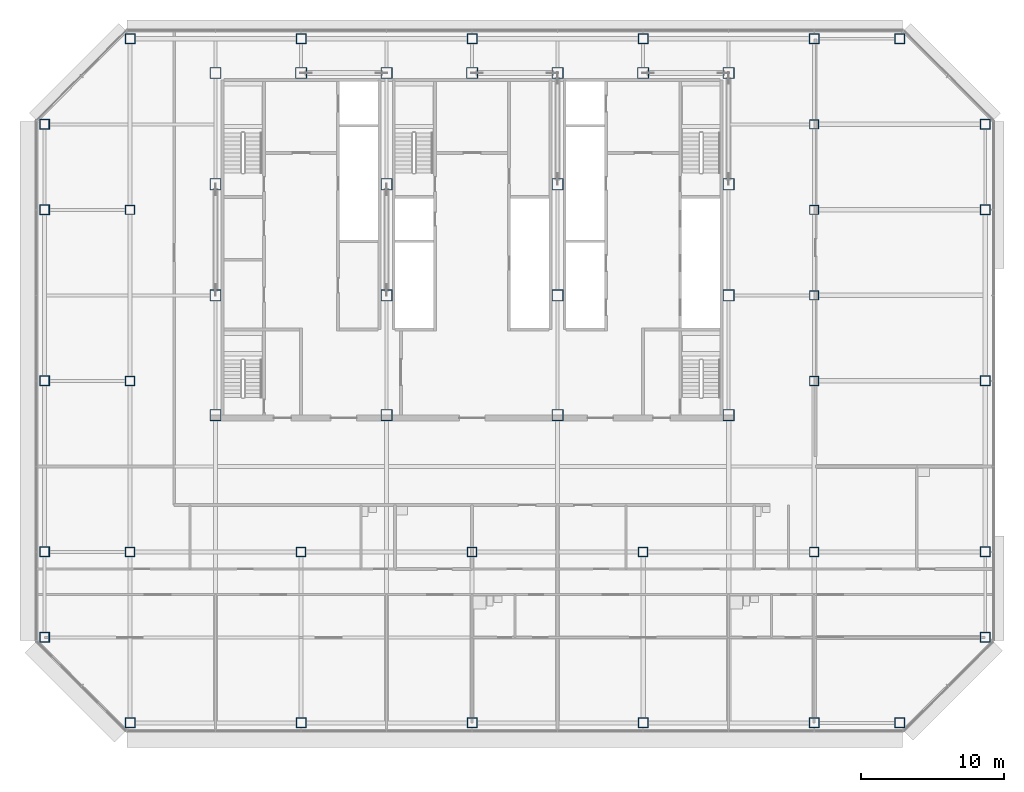
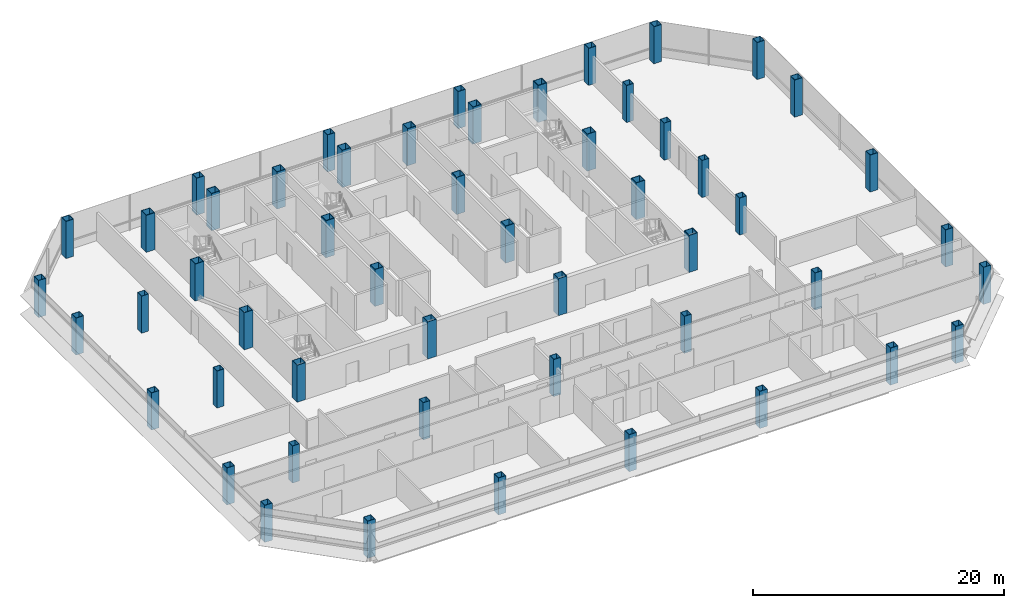
# One storey, part 1 of 24: 52 columns.
"""IFC4 building model written with IfcOpenShell, lengths in metres."""

from ifc_helpers import new_model, si_unit, direction, frame, origin, origin_2d, place, context, subcontext, project, spatial, hollow_rectangle, extrude, material, material_profile, profile_set, type_object, element, save


model = new_model("IFC4")

# Units and contexts
model_context = context("Model", 3, precision=1e-05, world=origin(), true_north=direction((0.0, 1.0)))
body_context = subcontext(model_context, "Body", "Model", "MODEL_VIEW")
ifc_project = project(units=[si_unit("LENGTHUNIT", "METRE"), si_unit("AREAUNIT", "SQUARE_METRE"), si_unit("VOLUMEUNIT", "CUBIC_METRE"), si_unit("PLANEANGLEUNIT", "RADIAN"), si_unit("MASSUNIT", "GRAM", prefix="KILO")], contexts=[model_context])

# Site, building, storey
site_placement = place(None, origin())
site = spatial("IfcSite", under=ifc_project, at=site_placement, CompositionType="ELEMENT")
building_placement = place(site_placement, origin())
building = spatial("IfcBuilding", under=site, at=building_placement, Name="Sorahane Residences", CompositionType="ELEMENT")
storey_placement = place(building_placement, frame((0.0, 0.0, 170.800048828125)))
storey = spatial("IfcBuildingStorey", under=building, at=storey_placement, Name="L39", CompositionType="ELEMENT", Elevation=170.800048828125)

# Columns
ifc_material_1 = material(Name="Steel Q355B", Category="steel")
ifc_material_profile_1 = material_profile(ifc_material_1, hollow_rectangle(XDim=0.64990234375, YDim=0.64990234375, WallThickness=0.031982421875, at=origin_2d()), Name="BOX 650x650x32")
ifc_profile_set_1 = profile_set([ifc_material_profile_1], Name="Steel Q355B")
column_type_1 = type_object("IfcColumnType", Name="Steel box column BOX 650x650x32 Q355B", PredefinedType="COLUMN", material=ifc_profile_set_1)
for number, where, z_axis, x_axis, name in (
    (1, (0.0, 12.0, 0.0), (0.0, 0.0, 1.0), (1.0, 0.0, 0.0), "Column L39 0/12"),
    (2, (0.0, 24.0, 0.0), (0.0, 0.0, 1.0), (1.0, 0.0, 0.0), "Column L39 0/24"),
    (3, (0.0, 36.0, 0.0), (0.0, 0.0, 1.0), (1.0, 0.0, 0.0), "Column L39 0/36"),
    (4, (12.0, 12.0, 0.0), (0.0, 0.0, 1.0), (1.0, 0.0, 0.0), "Column L39 12/12"),
    (5, (24.0, 12.0, 0.0), (0.0, 0.0, 1.0), (1.0, 0.0, 0.0), "Column L39 24/12"),
    (6, (36.0, 12.0, 0.0), (0.0, 0.0, 1.0), (1.0, 0.0, 0.0), "Column L39 36/12"),
    (7, (48.0, 12.0, 0.0), (0.0, 0.0, 1.0), (1.0, 0.0, 0.0), "Column L39 48/12"),
    (8, (48.0, 24.0, 0.0), (0.0, 0.0, 1.0), (1.0, 0.0, 0.0), "Column L39 48/24"),
    (9, (48.0, 30.0, 0.0), (0.0, 0.0, 1.0), (1.0, 0.0, 0.0), "Column L39 48/30"),
    (10, (48.0, 36.0, 0.0), (0.0, 0.0, 1.0), (1.0, 0.0, 0.0), "Column L39 48/36"),
    (11, (48.0, 42.0, 0.0), (0.0, 0.0, 1.0), (1.0, 0.0, 0.0), "Column L39 48/42"),
):
    element("IfcColumn", number, at=place(storey_placement, frame(where, z_axis=z_axis, x_axis=x_axis)), inside=storey, type_object=column_type_1, Name=name, PredefinedType="COLUMN", context=body_context, shape_type="SweptSolid", body=[
        extrude(hollow_rectangle(XDim=0.64990234375, YDim=0.64990234375, WallThickness=0.031982421875, at=origin_2d()), origin(), (0.0, 0.0, 1.0), 3.599853515625),
    ])
ifc_material_2 = material(Name="Steel Q355B", Category="steel")
ifc_material_profile_2 = material_profile(ifc_material_2, hollow_rectangle(XDim=0.699951171875, YDim=0.699951171875, WallThickness=0.035888671875, at=origin_2d()), Name="BOX 700x700x36")
ifc_profile_set_2 = profile_set([ifc_material_profile_2], Name="Steel Q355B")
column_type_2 = type_object("IfcColumnType", Name="Steel box column BOX 700x700x36 Q355B", PredefinedType="COLUMN", material=ifc_profile_set_2)
for number, where, z_axis, x_axis, name in (
    (12, (-6.0, 6.0, 0.0), (0.0, 0.0, 1.0), (1.0, 0.0, 0.0), "Column L39 m6/6"),
    (13, (-6.0, 12.0, 0.0), (0.0, 0.0, 1.0), (1.0, 0.0, 0.0), "Column L39 m6/12"),
    (14, (-6.0, 24.0, 0.0), (0.0, 0.0, 1.0), (1.0, 0.0, 0.0), "Column L39 m6/24"),
    (15, (-6.0, 36.0, 0.0), (0.0, 0.0, 1.0), (1.0, 0.0, 0.0), "Column L39 m6/36"),
    (16, (-6.0, 42.0, 0.0), (0.0, 0.0, 1.0), (1.0, 0.0, 0.0), "Column L39 m6/42"),
    (17, (0.0, 0.0, 0.0), (0.0, 0.0, 1.0), (1.0, 0.0, 0.0), "Column L39 0/0"),
    (18, (0.0, 48.0, 0.0), (0.0, 0.0, 1.0), (1.0, 0.0, 0.0), "Column L39 0/48"),
    (19, (12.0, 0.0, 0.0), (0.0, 0.0, 1.0), (1.0, 0.0, 0.0), "Column L39 12/0"),
    (20, (12.0, 48.0, 0.0), (0.0, 0.0, 1.0), (1.0, 0.0, 0.0), "Column L39 12/48"),
    (21, (24.0, 0.0, 0.0), (0.0, 0.0, 1.0), (1.0, 0.0, 0.0), "Column L39 24/0"),
    (22, (24.0, 48.0, 0.0), (0.0, 0.0, 1.0), (1.0, 0.0, 0.0), "Column L39 24/48"),
    (23, (36.0, 0.0, 0.0), (0.0, 0.0, 1.0), (1.0, 0.0, 0.0), "Column L39 36/0"),
    (24, (36.0, 48.0, 0.0), (0.0, 0.0, 1.0), (1.0, 0.0, 0.0), "Column L39 36/48"),
    (25, (48.0, 0.0, 0.0), (0.0, 0.0, 1.0), (1.0, 0.0, 0.0), "Column L39 48/0"),
    (26, (48.0, 48.0, 0.0), (0.0, 0.0, 1.0), (1.0, 0.0, 0.0), "Column L39 48/48"),
    (27, (54.0, 0.0, 0.0), (0.0, 0.0, 1.0), (1.0, 0.0, 0.0), "Column L39 54/0"),
    (28, (54.0, 48.0, 0.0), (0.0, 0.0, 1.0), (1.0, 0.0, 0.0), "Column L39 54/48"),
    (29, (60.0, 6.0, 0.0), (0.0, 0.0, 1.0), (1.0, 0.0, 0.0), "Column L39 60/6"),
    (30, (60.0, 12.0, 0.0), (0.0, 0.0, 1.0), (1.0, 0.0, 0.0), "Column L39 60/12"),
    (31, (60.0, 24.0, 0.0), (0.0, 0.0, 1.0), (1.0, 0.0, 0.0), "Column L39 60/24"),
    (32, (60.0, 36.0, 0.0), (0.0, 0.0, 1.0), (1.0, 0.0, 0.0), "Column L39 60/36"),
    (33, (60.0, 42.0, 0.0), (0.0, 0.0, 1.0), (1.0, 0.0, 0.0), "Column L39 60/42"),
):
    element("IfcColumn", number, at=place(storey_placement, frame(where, z_axis=z_axis, x_axis=x_axis)), inside=storey, type_object=column_type_2, Name=name, PredefinedType="COLUMN", context=body_context, shape_type="SweptSolid", body=[
        extrude(hollow_rectangle(XDim=0.699951171875, YDim=0.699951171875, WallThickness=0.035888671875, at=origin_2d()), origin(), (0.0, 0.0, 1.0), 3.599853515625),
    ])
ifc_material_3 = material(Name="Steel Q420GJ", Category="steel")
ifc_material_profile_3 = material_profile(ifc_material_3, hollow_rectangle(XDim=0.800048828125, YDim=0.800048828125, WallThickness=0.044921875, at=origin_2d()), Name="BOX 800x800x45")
ifc_profile_set_3 = profile_set([ifc_material_profile_3], Name="Steel Q420GJ")
column_type_3 = type_object("IfcColumnType", Name="Steel box column BOX 800x800x45 Q420GJ", PredefinedType="COLUMN", material=ifc_profile_set_3)
for number, where, z_axis, x_axis, name in (
    (34, (6.0, 21.60009765625, 0.0), (0.0, 0.0, 1.0), (1.0, 0.0, 0.0), "Column L39 6/21.6"),
    (35, (6.0, 30.0, 0.0), (0.0, 0.0, 1.0), (1.0, 0.0, 0.0), "Column L39 6/30"),
    (36, (6.0, 37.800048828125, 0.0), (0.0, 0.0, 1.0), (1.0, 0.0, 0.0), "Column L39 6/37.8"),
    (37, (6.0, 45.60009765625, 0.0), (0.0, 0.0, 1.0), (1.0, 0.0, 0.0), "Column L39 6/45.6"),
    (38, (12.0, 45.60009765625, 0.0), (0.0, 0.0, 1.0), (1.0, 0.0, 0.0), "Column L39 12/45.6"),
    (39, (18.0, 21.60009765625, 0.0), (0.0, 0.0, 1.0), (1.0, 0.0, 0.0), "Column L39 18/21.6"),
    (40, (18.0, 30.0, 0.0), (0.0, 0.0, 1.0), (1.0, 0.0, 0.0), "Column L39 18/30"),
    (41, (18.0, 37.800048828125, 0.0), (0.0, 0.0, 1.0), (1.0, 0.0, 0.0), "Column L39 18/37.8"),
    (42, (18.0, 45.60009765625, 0.0), (0.0, 0.0, 1.0), (1.0, 0.0, 0.0), "Column L39 18/45.6"),
    (43, (24.0, 45.60009765625, 0.0), (0.0, 0.0, 1.0), (1.0, 0.0, 0.0), "Column L39 24/45.6"),
    (44, (30.0, 21.60009765625, 0.0), (0.0, 0.0, 1.0), (1.0, 0.0, 0.0), "Column L39 30/21.6"),
    (45, (30.0, 30.0, 0.0), (0.0, 0.0, 1.0), (1.0, 0.0, 0.0), "Column L39 30/30"),
    (46, (30.0, 37.800048828125, 0.0), (0.0, 0.0, 1.0), (1.0, 0.0, 0.0), "Column L39 30/37.8"),
    (47, (30.0, 45.60009765625, 0.0), (0.0, 0.0, 1.0), (1.0, 0.0, 0.0), "Column L39 30/45.6"),
    (48, (36.0, 45.60009765625, 0.0), (0.0, 0.0, 1.0), (1.0, 0.0, 0.0), "Column L39 36/45.6"),
    (49, (42.0, 21.60009765625, 0.0), (0.0, 0.0, 1.0), (1.0, 0.0, 0.0), "Column L39 42/21.6"),
    (50, (42.0, 30.0, 0.0), (0.0, 0.0, 1.0), (1.0, 0.0, 0.0), "Column L39 42/30"),
    (51, (42.0, 37.800048828125, 0.0), (0.0, 0.0, 1.0), (1.0, 0.0, 0.0), "Column L39 42/37.8"),
    (52, (42.0, 45.60009765625, 0.0), (0.0, 0.0, 1.0), (1.0, 0.0, 0.0), "Column L39 42/45.6"),
):
    element("IfcColumn", number, at=place(storey_placement, frame(where, z_axis=z_axis, x_axis=x_axis)), inside=storey, type_object=column_type_3, Name=name, PredefinedType="COLUMN", context=body_context, shape_type="SweptSolid", body=[
        extrude(hollow_rectangle(XDim=0.800048828125, YDim=0.800048828125, WallThickness=0.044921875, at=origin_2d()), origin(), (0.0, 0.0, 1.0), 3.599853515625),
    ])

save(model, "model.ifc")
